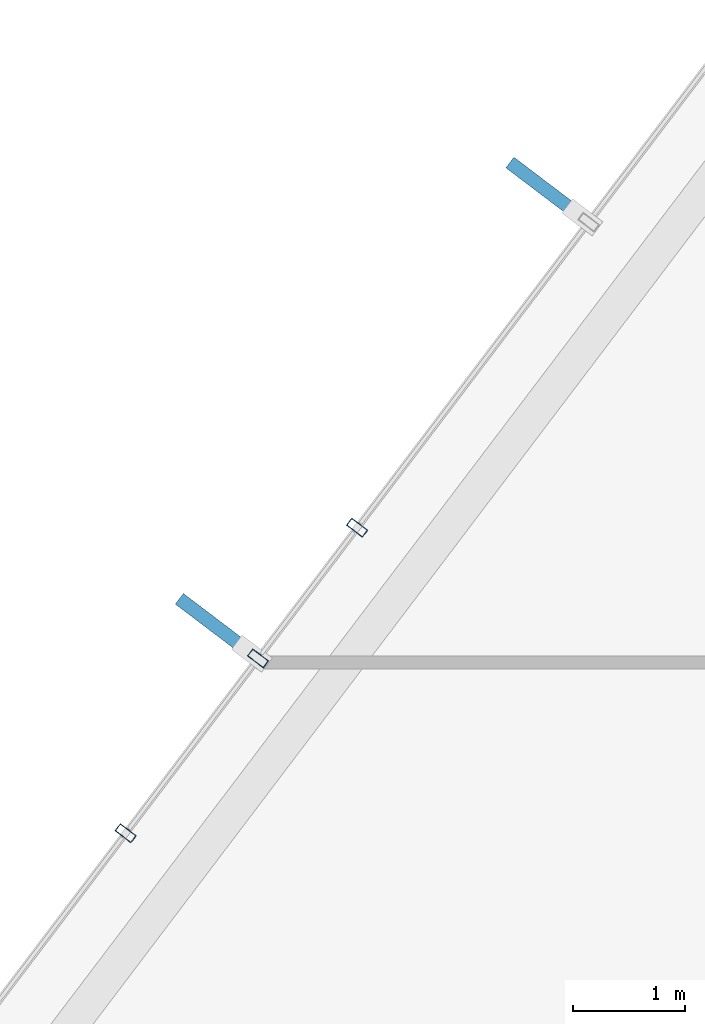
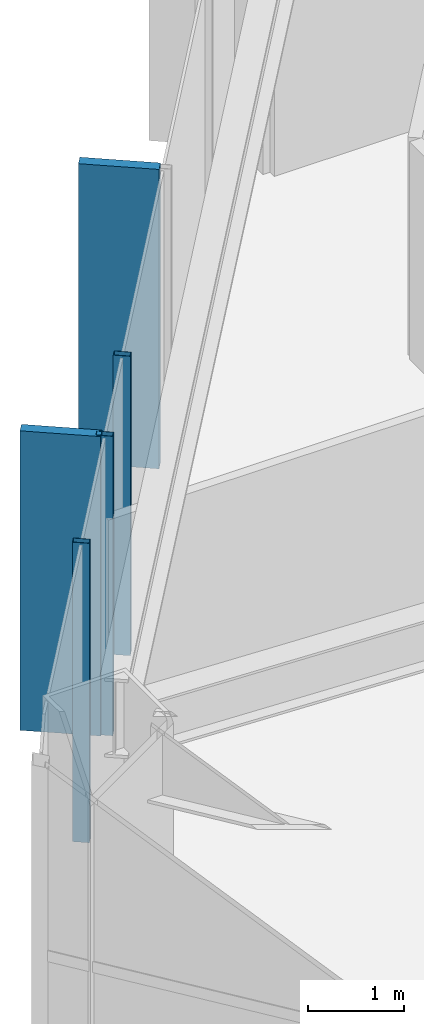
# One storey, part 9 of 26: 5 members, 1 element without a shape of its own.
"""IFC4 building model written with IfcOpenShell, lengths in metres."""

from ifc_helpers import new_model, si_unit, direction, frame, origin, origin_2d, place, context, subcontext, project, spatial, rectangle, hollow_rectangle, extrude, material, layer, layer_set, material_profile, profile_set, type_object, element, aggregate, save


model = new_model("IFC4")

# Units and contexts
model_context = context("Model", 3, precision=1e-05, world=origin(), true_north=direction((0.0, 1.0)))
body_context = subcontext(model_context, "Body", "Model", "MODEL_VIEW")
ifc_project = project(units=[si_unit("LENGTHUNIT", "METRE"), si_unit("AREAUNIT", "SQUARE_METRE"), si_unit("VOLUMEUNIT", "CUBIC_METRE"), si_unit("PLANEANGLEUNIT", "RADIAN"), si_unit("MASSUNIT", "GRAM", prefix="KILO")], contexts=[model_context])

# Site, building, storey
site_placement = place(None, origin())
site = spatial("IfcSite", under=ifc_project, at=site_placement, CompositionType="ELEMENT")
building_placement = place(site_placement, origin())
building = spatial("IfcBuilding", under=site, at=building_placement, Name="Zarrinselat Tower", CompositionType="ELEMENT")
storey_placement = place(building_placement, frame((0.0, 0.0, 27.5400390625)))
storey = spatial("IfcBuildingStorey", under=building, at=storey_placement, Name="L06", CompositionType="ELEMENT", Elevation=27.5400390625)

# Curtain wall, members
ifc_material_1 = material(Name="Extruded Aluminium Alloy EN AW-6063 T6", Category="aluminium")
ifc_layer = layer(ifc_material_1, 0.18505859375)
ifc_layer_set = layer_set([ifc_layer], Name="Extruded Aluminium Alloy EN AW-6063 T6")
curtain_wall_type = type_object("IfcCurtainWallType", Name="CWS-OFF", PredefinedType="NOTDEFINED", material=ifc_layer_set)
curtain_wall_placement = place(storey_placement, origin())
curtain_wall = element("IfcCurtainWall", 1, at=curtain_wall_placement, inside=storey, type_object=curtain_wall_type, Name="L06 Unitised Curtain Wall CW-L06-E02", PredefinedType="NOTDEFINED")
ifc_material_2 = material(Name="Extruded Aluminium Alloy EN AW-6063 T6", Category="aluminium")
ifc_material_profile_1 = material_profile(ifc_material_2, hollow_rectangle(XDim=0.080078125, YDim=0.179931640625, WallThickness=0.0048828125, at=origin_2d()), Name="RHS 180x80x5")
ifc_profile_set_1 = profile_set([ifc_material_profile_1], Name="Extruded Aluminium Alloy EN AW-6063 T6")
member_type_1 = type_object("IfcMemberType", Name="MEM-CW-MUL", PredefinedType="MULLION", material=ifc_profile_set_1)
member_1_placement = place(storey_placement, frame((20.1015625, 39.2080078125, 0.0), z_axis=(0.0, 0.0, 1.0), x_axis=(-0.603858715485, -0.797091369752, 0.0)))
member_1 = element("IfcMember", 2, at=member_1_placement, type_object=member_type_1, Name="CW-L06-E02 Mullion 6", PredefinedType="MULLION", context=body_context, shape_type="SweptSolid", body=[
    extrude(hollow_rectangle(XDim=0.080078125, YDim=0.179931640625, WallThickness=0.0048828125, at=origin_2d()), origin(), (0.0, 0.0, 1.0), 3.820068359375),
])
member_2_placement = place(storey_placement, frame((19.2138671875, 38.0361328125, 0.0), z_axis=(0.0, 0.0, 1.0), x_axis=(-0.603858715485, -0.797091369752, 0.0)))
member_2 = element("IfcMember", 3, at=member_2_placement, type_object=member_type_1, Name="CW-L06-E02 Mullion 7", PredefinedType="MULLION", context=body_context, shape_type="SweptSolid", body=[
    extrude(hollow_rectangle(XDim=0.080078125, YDim=0.179931640625, WallThickness=0.0048828125, at=origin_2d()), origin(), (0.0, 0.0, 1.0), 3.820068359375),
])
member_3_placement = place(storey_placement, frame((18.027099609375, 36.4697265625, 0.0), z_axis=(0.0, 0.0, 1.0), x_axis=(-0.603858715485, -0.797091369752, 0.0)))
member_3 = element("IfcMember", 4, at=member_3_placement, type_object=member_type_1, Name="CW-L06-E02 Mullion 8", PredefinedType="MULLION", context=body_context, shape_type="SweptSolid", body=[
    extrude(hollow_rectangle(XDim=0.080078125, YDim=0.179931640625, WallThickness=0.0048828125, at=origin_2d()), origin(), (0.0, 0.0, 1.0), 3.820068359375),
])
ifc_material_3 = material(Name="Honed Cream Travertine Stone", Category="masonry")
ifc_material_profile_2 = material_profile(ifc_material_3, rectangle(XDim=0.1201171875, YDim=0.85009765625, at=origin_2d()), Name="FIN 850x120")
ifc_profile_set_2 = profile_set([ifc_material_profile_2], Name="Honed Cream Travertine Stone")
member_type_2 = type_object("IfcMemberType", Name="MEM-STONE-FIN", PredefinedType="USERDEFINED", material=ifc_profile_set_2)
member_4_placement = place(storey_placement, frame((21.809326171875, 42.22412109375, 0.0), z_axis=(0.0, 0.0, 1.0), x_axis=(0.603858715485, 0.797091369752, 0.0)))
member_4 = element("IfcMember", 5, at=member_4_placement, type_object=member_type_2, Name="L06 Stone Shading Fin CW-L06-E02-05", ObjectType="FIN", PredefinedType="USERDEFINED", context=body_context, shape_type="SweptSolid", body=[
    extrude(rectangle(XDim=0.1201171875, YDim=0.85009765625, at=origin_2d()), origin(), (0.0, 0.0, 1.0), 3.820068359375),
])
member_5_placement = place(storey_placement, frame((18.84716796875, 38.31396484375, 0.0), z_axis=(0.0, 0.0, 1.0), x_axis=(0.603858715485, 0.797091369752, 0.0)))
member_5 = element("IfcMember", 6, at=member_5_placement, type_object=member_type_2, Name="L06 Stone Shading Fin CW-L06-E02-07", ObjectType="FIN", PredefinedType="USERDEFINED", context=body_context, shape_type="SweptSolid", body=[
    extrude(rectangle(XDim=0.1201171875, YDim=0.85009765625, at=origin_2d()), origin(), (0.0, 0.0, 1.0), 3.820068359375),
])
aggregate(curtain_wall, [member_4, member_1, member_2, member_5, member_3])

save(model, "model.ifc")
